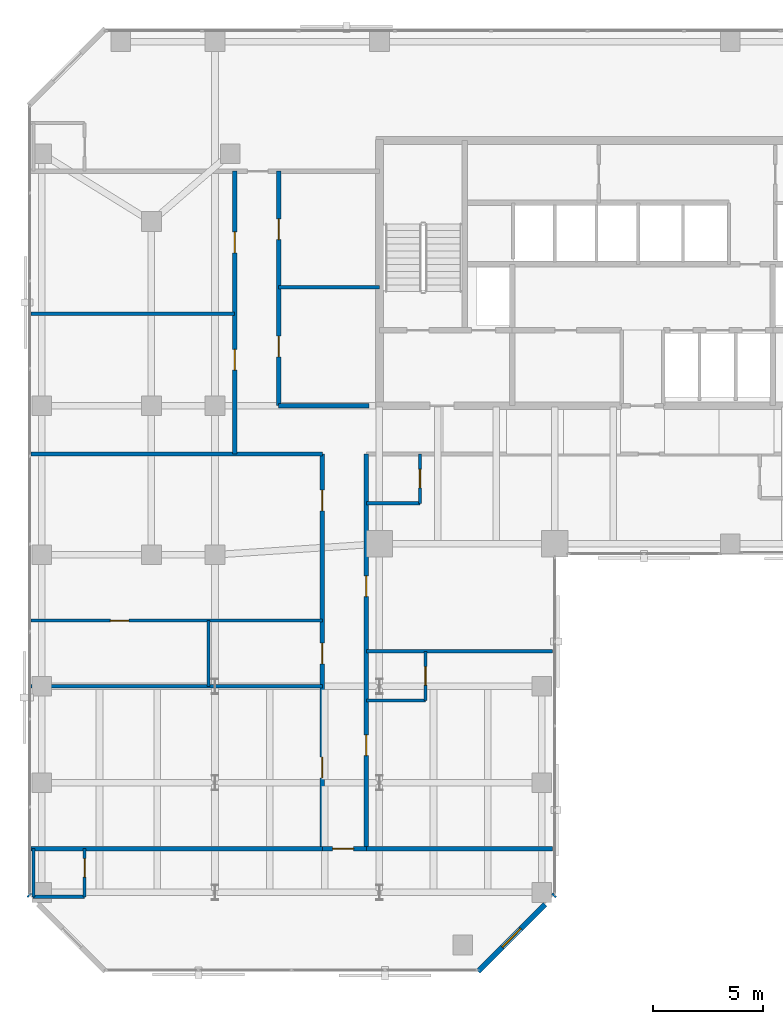
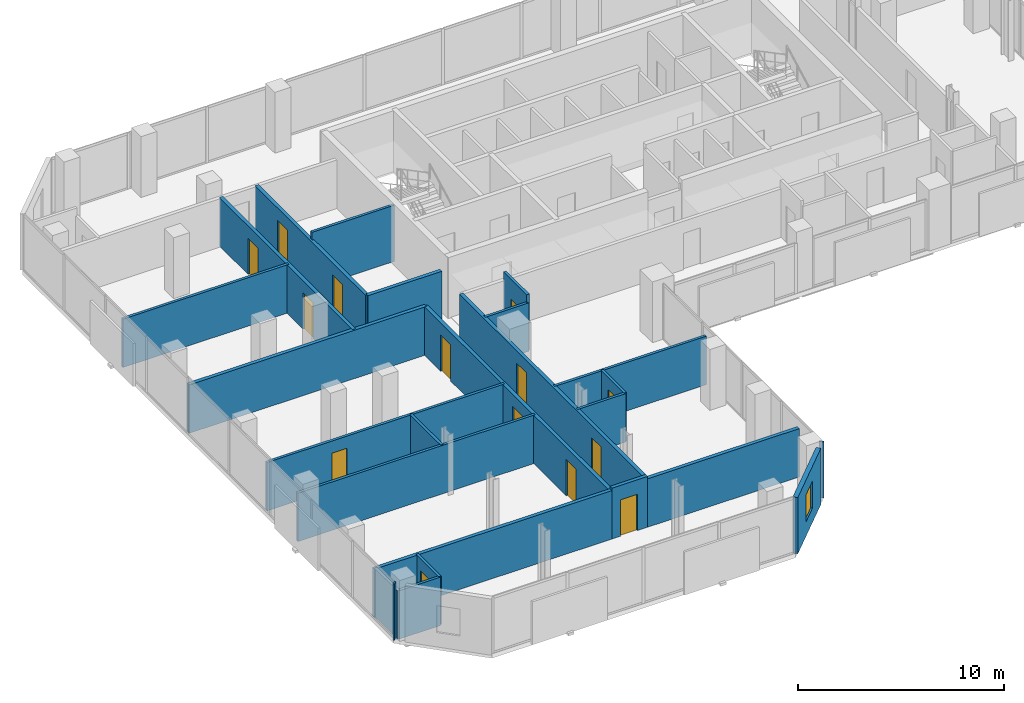
# One storey, part 28 of 33: 25 walls, 14 doors, 1 window, 15 openings.
"""IFC4 building model written with IfcOpenShell, lengths in metres."""

from ifc_helpers import new_model, si_unit, direction, frame, frame_2d, origin, place, context, subcontext, project, spatial, rectangle, extrude, material, layer, layer_set, type_object, element, fill, save


model = new_model("IFC4")

# Units and contexts
model_context = context("Model", 3, precision=1e-05, world=origin(), true_north=direction((0.0, 1.0)))
body_context = subcontext(model_context, "Body", "Model", "MODEL_VIEW")
ifc_project = project(units=[si_unit("LENGTHUNIT", "METRE"), si_unit("AREAUNIT", "SQUARE_METRE"), si_unit("VOLUMEUNIT", "CUBIC_METRE"), si_unit("PLANEANGLEUNIT", "RADIAN"), si_unit("MASSUNIT", "GRAM", prefix="KILO")], contexts=[model_context])

# Site, building, storey
site_placement = place(None, origin())
site = spatial("IfcSite", under=ifc_project, at=site_placement, CompositionType="ELEMENT")
building_placement = place(site_placement, origin())
building = spatial("IfcBuilding", under=site, at=building_placement, Name="Catumbela Crestline Tower", CompositionType="ELEMENT")
storey_placement = place(building_placement, frame((0.0, 0.0, 104.4)))
storey = spatial("IfcBuildingStorey", under=building, at=storey_placement, Name="L26", CompositionType="ELEMENT", Elevation=104.4)

# Walls
ifc_material_1 = material(Name="Acoustic gypsum and mineral-wool partition")
ifc_layer_1 = layer(ifc_material_1, 0.2, Name="Acoustic gypsum and mineral-wool partition")
ifc_layer_set_1 = layer_set([ifc_layer_1], Name="Acoustic gypsum and mineral-wool partition")
wall_type_1 = type_object("IfcWallType", Name="WC-200", PredefinedType="PARTITIONING", material=ifc_layer_set_1)
wall_1_placement = place(storey_placement, frame((0.1, 28.6, 0.0), z_axis=(0.0, 0.0, 1.0), x_axis=(1.0, 0.0, 0.0)))
element("IfcWall", 1, at=wall_1_placement, inside=storey, type_object=wall_type_1, Name="L26 Interior Partition PW-L26-Z2CW-N1", PredefinedType="PARTITIONING", context=body_context, shape_type="SweptSolid", body=[
    extrude(rectangle(XDim=13.3, YDim=0.2, at=frame_2d((6.65, 0.0))), origin(), (0.0, 0.0, 1.0), 2.87),
])
wall_2_placement = place(storey_placement, frame((11.4, 30.8, 0.0), z_axis=(0.0, 0.0, 1.0), x_axis=(1.0, 0.0, 0.0)))
element("IfcWall", 2, at=wall_2_placement, inside=storey, type_object=wall_type_1, Name="L26 Interior Partition PW-L26-Z2CW-N3", PredefinedType="PARTITIONING", context=body_context, shape_type="SweptSolid", body=[
    extrude(rectangle(XDim=4.13, YDim=0.2, at=frame_2d((2.065, 0.0))), origin(), (0.0, 0.0, 1.0), 2.87),
])

# Wall, openings, doors
wall_3_placement = place(storey_placement, frame((13.4, 10.6, 0.0), z_axis=(0.0, 0.0, 1.0), x_axis=(0.0, 1.0, 0.0)))
wall_3 = element("IfcWall", 3, at=wall_3_placement, inside=storey, type_object=wall_type_1, Name="L26 Interior Partition PW-L26-STWC-ENT", PredefinedType="PARTITIONING", context=body_context, shape_type="SweptSolid", body=[
    extrude(rectangle(XDim=18.0, YDim=0.2, at=frame_2d((9.0, 0.0))), origin(), (0.0, 0.0, 1.0), 2.87),
])
opening_1_placement = place(wall_3_placement, frame((8.425, 0.0, 0.0)))
opening_1 = element("IfcOpeningElement", 4, at=opening_1_placement, cuts=wall_3, Name="Opening DF6-095", PredefinedType="OPENING", context=body_context, shape_type="SweptSolid", body=[
    extrude(rectangle(XDim=0.95, YDim=2.15, at=frame_2d((0.475, 1.075))), frame((0.0, 0.11, 0.0), z_axis=(0.0, -1.0, 0.0), x_axis=(1.0, 0.0, 0.0)), (0.0, 0.0, 1.0), 0.22),
])
opening_2_placement = place(wall_3_placement, frame((15.3987, 0.0, 0.0)))
opening_2 = element("IfcOpeningElement", 5, at=opening_2_placement, cuts=wall_3, Name="Opening DF6-095", PredefinedType="OPENING", context=body_context, shape_type="SweptSolid", body=[
    extrude(rectangle(XDim=0.95, YDim=2.15, at=frame_2d((0.475, 1.075))), frame((0.0, 0.11, 0.0), z_axis=(0.0, -1.0, 0.0), x_axis=(1.0, 0.0, 0.0)), (0.0, 0.0, 1.0), 0.22),
])
opening_3_placement = place(wall_3_placement, frame((3.225, 0.0, 0.0)))
opening_3 = element("IfcOpeningElement", 6, at=opening_3_placement, cuts=wall_3, Name="Opening DF6-095", PredefinedType="OPENING", context=body_context, shape_type="SweptSolid", body=[
    extrude(rectangle(XDim=0.95, YDim=2.15, at=frame_2d((0.475, 1.075))), frame((0.0, 0.11, 0.0), z_axis=(0.0, -1.0, 0.0), x_axis=(1.0, 0.0, 0.0)), (0.0, 0.0, 1.0), 0.22),
])
ifc_material_2 = material(Name="Aluminium alloy AW-6060-T66", Category="aluminium")
door_type_1 = type_object("IfcDoorType", Name="DF6-095", OperationType="NOTDEFINED", PredefinedType="DOOR", material=ifc_material_2)
door_1_placement = place(opening_1_placement, origin())
door_1 = element("IfcDoor", 7, at=door_1_placement, inside=storey, type_object=door_type_1, Name="L26 Interior Door DR-L26-STWC-ENT", OperationType="SINGLE_SWING_RIGHT", OverallHeight=2.15, OverallWidth=0.95, PredefinedType="DOOR", context=body_context, shape_type="SweptSolid", body=[
    extrude(rectangle(XDim=0.95, YDim=2.15, at=frame_2d((0.475, 1.075))), frame((0.0, 0.025, 0.0), z_axis=(0.0, -1.0, 0.0), x_axis=(1.0, 0.0, 0.0)), (0.0, 0.0, 1.0), 0.05),
])
fill(opening_1, door_1)
door_2_placement = place(opening_2_placement, origin())
door_2 = element("IfcDoor", 8, at=door_2_placement, inside=storey, type_object=door_type_1, Name="L26 Interior Door DR-L26-HKP-ENT", OperationType="SINGLE_SWING_RIGHT", OverallHeight=2.15, OverallWidth=0.95, PredefinedType="DOOR", context=body_context, shape_type="SweptSolid", body=[
    extrude(rectangle(XDim=0.95, YDim=2.15, at=frame_2d((0.475, 1.075))), frame((0.0, 0.025, 0.0), z_axis=(0.0, -1.0, 0.0), x_axis=(1.0, 0.0, 0.0)), (0.0, 0.0, 1.0), 0.05),
])
fill(opening_2, door_2)
door_3_placement = place(opening_3_placement, origin())
door_3 = element("IfcDoor", 9, at=door_3_placement, inside=storey, type_object=door_type_1, Name="L26 Interior Door DR-L26-WEXT-ENT", OperationType="SINGLE_SWING_LEFT", OverallHeight=2.15, OverallWidth=0.95, PredefinedType="DOOR", context=body_context, shape_type="SweptSolid", body=[
    extrude(rectangle(XDim=0.95, YDim=2.15, at=frame_2d((0.475, 1.075))), frame((0.0, 0.025, 0.0), z_axis=(0.0, -1.0, 0.0), x_axis=(1.0, 0.0, 0.0)), (0.0, 0.0, 1.0), 0.05),
])
fill(opening_3, door_3)

wall_4_placement = place(storey_placement, frame((9.4, 28.6, 0.0), z_axis=(0.0, 0.0, 1.0), x_axis=(0.0, 1.0, 0.0)))
wall_4 = element("IfcWall", 10, at=wall_4_placement, inside=storey, type_object=wall_type_1, Name="L26 Interior Partition PW-L26-Z2OF1-ENT", PredefinedType="PARTITIONING", context=body_context, shape_type="SweptSolid", body=[
    extrude(rectangle(XDim=12.9, YDim=0.2, at=frame_2d((6.45, 0.0))), origin(), (0.0, 0.0, 1.0), 2.87),
])
opening_4_placement = place(wall_4_placement, frame((3.825, 0.0, 0.0)))
opening_4 = element("IfcOpeningElement", 11, at=opening_4_placement, cuts=wall_4, Name="Opening DF6-095", PredefinedType="OPENING", context=body_context, shape_type="SweptSolid", body=[
    extrude(rectangle(XDim=0.95, YDim=2.15, at=frame_2d((0.475, 1.075))), frame((0.0, 0.11, 0.0), z_axis=(0.0, -1.0, 0.0), x_axis=(1.0, 0.0, 0.0)), (0.0, 0.0, 1.0), 0.22),
])
opening_5_placement = place(wall_4_placement, frame((9.175, 0.0, 0.0)))
opening_5 = element("IfcOpeningElement", 12, at=opening_5_placement, cuts=wall_4, Name="Opening DF6-095", PredefinedType="OPENING", context=body_context, shape_type="SweptSolid", body=[
    extrude(rectangle(XDim=0.95, YDim=2.15, at=frame_2d((0.475, 1.075))), frame((0.0, 0.11, 0.0), z_axis=(0.0, -1.0, 0.0), x_axis=(1.0, 0.0, 0.0)), (0.0, 0.0, 1.0), 0.22),
])
door_4_placement = place(opening_4_placement, origin())
door_4 = element("IfcDoor", 13, at=door_4_placement, inside=storey, type_object=door_type_1, Name="L26 Interior Door DR-L26-Z2OF1-ENT", OperationType="SINGLE_SWING_LEFT", OverallHeight=2.15, OverallWidth=0.95, PredefinedType="DOOR", context=body_context, shape_type="SweptSolid", body=[
    extrude(rectangle(XDim=0.95, YDim=2.15, at=frame_2d((0.475, 1.075))), frame((0.0, 0.025, 0.0), z_axis=(0.0, -1.0, 0.0), x_axis=(1.0, 0.0, 0.0)), (0.0, 0.0, 1.0), 0.05),
])
fill(opening_4, door_4)
door_5_placement = place(opening_5_placement, origin())
door_5 = element("IfcDoor", 14, at=door_5_placement, inside=storey, type_object=door_type_1, Name="L26 Interior Door DR-L26-Z2OF2-ENT", OperationType="SINGLE_SWING_RIGHT", OverallHeight=2.15, OverallWidth=0.95, PredefinedType="DOOR", context=body_context, shape_type="SweptSolid", body=[
    extrude(rectangle(XDim=0.95, YDim=2.15, at=frame_2d((0.475, 1.075))), frame((0.0, 0.025, 0.0), z_axis=(0.0, -1.0, 0.0), x_axis=(1.0, 0.0, 0.0)), (0.0, 0.0, 1.0), 0.05),
])
fill(opening_5, door_5)

wall_5_placement = place(storey_placement, frame((11.4, 30.8, 0.0), z_axis=(0.0, 0.0, 1.0), x_axis=(0.0, 1.0, 0.0)))
wall_5 = element("IfcWall", 15, at=wall_5_placement, inside=storey, type_object=wall_type_1, Name="L26 Interior Partition PW-L26-Z2MT1-ENT", PredefinedType="PARTITIONING", context=body_context, shape_type="SweptSolid", body=[
    extrude(rectangle(XDim=10.7, YDim=0.2, at=frame_2d((5.35, 0.0))), origin(), (0.0, 0.0, 1.0), 2.87),
])
opening_6_placement = place(wall_5_placement, frame((2.225, 0.0, 0.0)))
opening_6 = element("IfcOpeningElement", 16, at=opening_6_placement, cuts=wall_5, Name="Opening DF6-095", PredefinedType="OPENING", context=body_context, shape_type="SweptSolid", body=[
    extrude(rectangle(XDim=0.95, YDim=2.15, at=frame_2d((0.475, 1.075))), frame((0.0, 0.11, 0.0), z_axis=(0.0, -1.0, 0.0), x_axis=(1.0, 0.0, 0.0)), (0.0, 0.0, 1.0), 0.22),
])
opening_7_placement = place(wall_5_placement, frame((7.575, 0.0, 0.0)))
opening_7 = element("IfcOpeningElement", 17, at=opening_7_placement, cuts=wall_5, Name="Opening DF6-095", PredefinedType="OPENING", context=body_context, shape_type="SweptSolid", body=[
    extrude(rectangle(XDim=0.95, YDim=2.15, at=frame_2d((0.475, 1.075))), frame((0.0, 0.11, 0.0), z_axis=(0.0, -1.0, 0.0), x_axis=(1.0, 0.0, 0.0)), (0.0, 0.0, 1.0), 0.22),
])
door_6_placement = place(opening_6_placement, origin())
door_6 = element("IfcDoor", 18, at=door_6_placement, inside=storey, type_object=door_type_1, Name="L26 Interior Door DR-L26-Z2MT1-ENT", OperationType="SINGLE_SWING_LEFT", OverallHeight=2.15, OverallWidth=0.95, PredefinedType="DOOR", context=body_context, shape_type="SweptSolid", body=[
    extrude(rectangle(XDim=0.95, YDim=2.15, at=frame_2d((0.475, 1.075))), frame((0.0, 0.025, 0.0), z_axis=(0.0, -1.0, 0.0), x_axis=(1.0, 0.0, 0.0)), (0.0, 0.0, 1.0), 0.05),
])
fill(opening_6, door_6)
door_7_placement = place(opening_7_placement, origin())
door_7 = element("IfcDoor", 19, at=door_7_placement, inside=storey, type_object=door_type_1, Name="L26 Interior Door DR-L26-Z2MT2-ENT", OperationType="SINGLE_SWING_RIGHT", OverallHeight=2.15, OverallWidth=0.95, PredefinedType="DOOR", context=body_context, shape_type="SweptSolid", body=[
    extrude(rectangle(XDim=0.95, YDim=2.15, at=frame_2d((0.475, 1.075))), frame((0.0, 0.025, 0.0), z_axis=(0.0, -1.0, 0.0), x_axis=(1.0, 0.0, 0.0)), (0.0, 0.0, 1.0), 0.05),
])
fill(opening_7, door_7)

# Wall, opening, door
wall_6_placement = place(storey_placement, frame((13.4, 10.6, 0.0), z_axis=(0.0, 0.0, 1.0), x_axis=(1.0, 0.0, 0.0)))
wall_6 = element("IfcWall", 20, at=wall_6_placement, inside=storey, type_object=wall_type_1, Name="L26 Interior Partition PW-L26-STIP-ENT", PredefinedType="PARTITIONING", context=body_context, shape_type="SweptSolid", body=[
    extrude(rectangle(XDim=2.0, YDim=0.2, at=frame_2d((1.0, 0.0))), origin(), (0.0, 0.0, 1.0), 3.01),
])
opening_8_placement = place(wall_6_placement, frame((0.468, 0.0, 0.0)))
opening_8 = element("IfcOpeningElement", 21, at=opening_8_placement, cuts=wall_6, Name="Opening DF6-095", PredefinedType="OPENING", context=body_context, shape_type="SweptSolid", body=[
    extrude(rectangle(XDim=0.95, YDim=2.15, at=frame_2d((0.475, 1.075))), frame((0.0, 0.11, 0.0), z_axis=(0.0, -1.0, 0.0), x_axis=(1.0, 0.0, 0.0)), (0.0, 0.0, 1.0), 0.22),
])
door_8_placement = place(opening_8_placement, origin())
door_8 = element("IfcDoor", 22, at=door_8_placement, inside=storey, type_object=door_type_1, Name="L26 Interior Door DR-L26-STIP-ENT", OperationType="SINGLE_SWING_LEFT", OverallHeight=2.15, OverallWidth=0.95, PredefinedType="DOOR", context=body_context, shape_type="SweptSolid", body=[
    extrude(rectangle(XDim=0.95, YDim=2.15, at=frame_2d((0.475, 1.075))), frame((0.0, 0.025, 0.0), z_axis=(0.0, -1.0, 0.0), x_axis=(1.0, 0.0, 0.0)), (0.0, 0.0, 1.0), 0.05),
])
fill(opening_8, door_8)

# Wall, openings, doors
wall_7_placement = place(storey_placement, frame((15.4, 10.6, 0.0), z_axis=(0.0, 0.0, 1.0), x_axis=(0.0, 1.0, 0.0)))
wall_7 = element("IfcWall", 23, at=wall_7_placement, inside=storey, type_object=wall_type_1, Name="L26 Interior Partition PW-L26-SW1-ENT", PredefinedType="PARTITIONING", context=body_context, shape_type="SweptSolid", body=[
    extrude(rectangle(XDim=18.0, YDim=0.2, at=frame_2d((9.0, 0.0))), origin(), (0.0, 0.0, 1.0), 2.87),
])
opening_9_placement = place(wall_7_placement, frame((4.24, 0.0, 0.0)))
opening_9 = element("IfcOpeningElement", 24, at=opening_9_placement, cuts=wall_7, Name="Opening DF6-095", PredefinedType="OPENING", context=body_context, shape_type="SweptSolid", body=[
    extrude(rectangle(XDim=0.95, YDim=2.15, at=frame_2d((0.475, 1.075))), frame((0.0, 0.11, 0.0), z_axis=(0.0, -1.0, 0.0), x_axis=(1.0, 0.0, 0.0)), (0.0, 0.0, 1.0), 0.22),
])
opening_10_placement = place(wall_7_placement, frame((11.4941, 0.0, 0.0)))
opening_10 = element("IfcOpeningElement", 25, at=opening_10_placement, cuts=wall_7, Name="Opening DF6-095", PredefinedType="OPENING", context=body_context, shape_type="SweptSolid", body=[
    extrude(rectangle(XDim=0.95, YDim=2.15, at=frame_2d((0.475, 1.075))), frame((0.0, 0.11, 0.0), z_axis=(0.0, -1.0, 0.0), x_axis=(1.0, 0.0, 0.0)), (0.0, 0.0, 1.0), 0.22),
])
door_9_placement = place(opening_9_placement, origin())
door_9 = element("IfcDoor", 26, at=door_9_placement, inside=storey, type_object=door_type_1, Name="L26 Interior Door DR-L26-SW1-ENT", OperationType="SINGLE_SWING_RIGHT", OverallHeight=2.15, OverallWidth=0.95, PredefinedType="DOOR", context=body_context, shape_type="SweptSolid", body=[
    extrude(rectangle(XDim=0.95, YDim=2.15, at=frame_2d((0.475, 1.075))), frame((0.0, 0.025, 0.0), z_axis=(0.0, -1.0, 0.0), x_axis=(1.0, 0.0, 0.0)), (0.0, 0.0, 1.0), 0.05),
])
fill(opening_9, door_9)
door_10_placement = place(opening_10_placement, origin())
door_10 = element("IfcDoor", 27, at=door_10_placement, inside=storey, type_object=door_type_1, Name="L26 Interior Door DR-L26-SW2-ENT", OperationType="SINGLE_SWING_LEFT", OverallHeight=2.15, OverallWidth=0.95, PredefinedType="DOOR", context=body_context, shape_type="SweptSolid", body=[
    extrude(rectangle(XDim=0.95, YDim=2.15, at=frame_2d((0.475, 1.075))), frame((0.0, 0.025, 0.0), z_axis=(0.0, -1.0, 0.0), x_axis=(1.0, 0.0, 0.0)), (0.0, 0.0, 1.0), 0.05),
])
fill(opening_10, door_10)

# Wall, opening, window
ifc_material_3 = material(Name="Angolan grey-ochre granite", Category="masonry")
ifc_layer_2 = layer(ifc_material_3, 0.25, Name="Angolan grey-ochre granite")
ifc_layer_set_2 = layer_set([ifc_layer_2], Name="Angolan grey-ochre granite")
wall_type_2 = type_object("IfcWallType", Name="WE-250", PredefinedType="STANDARD", material=ifc_layer_set_2)
wall_8_placement = place(storey_placement, frame((20.5, 5.0, 0.0), z_axis=(0.0, 0.0, 1.0), x_axis=(0.707106781187, 0.707106781187, 0.0)))
wall_8 = element("IfcWall", 28, at=wall_8_placement, inside=storey, type_object=wall_type_2, Name="L26 Granite Punched Window Wall 1-1", PredefinedType="STANDARD", context=body_context, shape_type="SweptSolid", body=[
    extrude(rectangle(XDim=4.3298, YDim=0.25, at=frame_2d((2.1649, 0.0))), origin(), (0.0, 0.0, 1.0), 3.33),
])
opening_11_placement = place(wall_8_placement, frame((1.5649, 0.0, 0.85)))
opening_11 = element("IfcOpeningElement", 29, at=opening_11_placement, cuts=wall_8, Name="Opening WN-02", PredefinedType="OPENING", context=body_context, shape_type="SweptSolid", body=[
    extrude(rectangle(XDim=1.2, YDim=1.6, at=frame_2d((0.6, 0.8))), frame((0.0, 0.135, 0.0), z_axis=(0.0, -1.0, 0.0), x_axis=(1.0, 0.0, 0.0)), (0.0, 0.0, 1.0), 0.27),
])
ifc_material_4 = material(Name="Low-E laminated solar-control double glazing", Category="glass")
window_type = type_object("IfcWindowType", Name="WO-1200", PartitioningType="SINGLE_PANEL", PredefinedType="WINDOW", material=ifc_material_4)
window_placement = place(opening_11_placement, origin())
window = element("IfcWindow", 30, at=window_placement, inside=storey, type_object=window_type, Name="L26 Facade Vision Window 150", OverallHeight=1.6, OverallWidth=1.2, PartitioningType="SINGLE_PANEL", PredefinedType="WINDOW", context=body_context, shape_type="SweptSolid", body=[
    extrude(rectangle(XDim=1.2, YDim=1.6, at=frame_2d((0.6, 0.8))), frame((0.0, 0.03, 0.0), z_axis=(0.0, -1.0, 0.0), x_axis=(1.0, 0.0, 0.0)), (0.0, 0.0, 1.0), 0.06),
])
fill(opening_11, window)

# Walls
for number, where, z_axis, x_axis, name in (
    (31, (23.9384, 8.4384, 0.0), (0.0, 0.0, 1.0), (0.707106781187, 0.707106781187, 0.0), "L26 Granite Punched Window Wall 1-2"),
    (32, (0.0, 8.5, 0.0), (0.0, 0.0, 1.0), (0.707106781187, -0.707106781187, 0.0), "L26 Granite Punched Window Wall 10-1"),
):
    element("IfcWall", number, at=place(storey_placement, frame(where, z_axis=z_axis, x_axis=x_axis)), inside=storey, type_object=wall_type_2, Name=name, PredefinedType="STANDARD", context=body_context, shape_type="SweptSolid", body=[
        extrude(rectangle(XDim=0.0871, YDim=0.25, at=frame_2d((0.0436, 0.0))), origin(), (0.0, 0.0, 1.0), 3.33),
    ])
ifc_layer_3 = layer(ifc_material_1, 0.15, Name="Acoustic gypsum and mineral-wool partition")
ifc_layer_set_3 = layer_set([ifc_layer_3], Name="Acoustic gypsum and mineral-wool partition")
wall_type_3 = type_object("IfcWallType", Name="WP-150", PredefinedType="PARTITIONING", material=ifc_layer_set_3)
wall_9_placement = place(storey_placement, frame((0.1, 18.0, 0.0), z_axis=(0.0, 0.0, 1.0), x_axis=(1.0, 0.0, 0.0)))
element("IfcWall", 33, at=wall_9_placement, inside=storey, type_object=wall_type_3, Name="L26 Interior Partition PW-L26-Z2W-1", PredefinedType="PARTITIONING", context=body_context, shape_type="SweptSolid", body=[
    extrude(rectangle(XDim=13.3, YDim=0.15, at=frame_2d((6.65, 0.0))), origin(), (0.0, 0.0, 1.0), 2.87),
])

# Wall, opening, door
wall_10_placement = place(storey_placement, frame((0.1, 21.0, 0.0), z_axis=(0.0, 0.0, 1.0), x_axis=(1.0, 0.0, 0.0)))
wall_10 = element("IfcWall", 34, at=wall_10_placement, inside=storey, type_object=wall_type_3, Name="L26 Interior Partition PW-L26-Z2W-2", PredefinedType="PARTITIONING", context=body_context, shape_type="SweptSolid", body=[
    extrude(rectangle(XDim=13.3, YDim=0.15, at=frame_2d((6.65, 0.0))), origin(), (0.0, 0.0, 1.0), 2.87),
])
opening_12_placement = place(wall_10_placement, frame((3.625, 0.0, 0.0)))
opening_12 = element("IfcOpeningElement", 35, at=opening_12_placement, cuts=wall_10, Name="Opening DI-085", PredefinedType="OPENING", context=body_context, shape_type="SweptSolid", body=[
    extrude(rectangle(XDim=0.85, YDim=2.15, at=frame_2d((0.425, 1.075))), frame((0.0, 0.085, 0.0), z_axis=(0.0, -1.0, 0.0), x_axis=(1.0, 0.0, 0.0)), (0.0, 0.0, 1.0), 0.17),
])
door_type_2 = type_object("IfcDoorType", Name="DI-085", OperationType="NOTDEFINED", PredefinedType="DOOR", material=ifc_material_2)
door_11_placement = place(opening_12_placement, origin())
door_11 = element("IfcDoor", 36, at=door_11_placement, inside=storey, type_object=door_type_2, Name="L26 Interior Door DR-L26-STSTO", OperationType="SINGLE_SWING_LEFT", OverallHeight=2.15, OverallWidth=0.85, PredefinedType="DOOR", context=body_context, shape_type="SweptSolid", body=[
    extrude(rectangle(XDim=0.85, YDim=2.15, at=frame_2d((0.425, 1.075))), frame((0.0, 0.025, 0.0), z_axis=(0.0, -1.0, 0.0), x_axis=(1.0, 0.0, 0.0)), (0.0, 0.0, 1.0), 0.05),
])
fill(opening_12, door_11)

# Walls
wall_11_placement = place(storey_placement, frame((8.2, 18.0, 0.0), z_axis=(0.0, 0.0, 1.0), x_axis=(0.0, 1.0, 0.0)))
element("IfcWall", 37, at=wall_11_placement, inside=storey, type_object=wall_type_3, Name="L26 Interior Partition PW-L26-Z2W-WCX", PredefinedType="PARTITIONING", context=body_context, shape_type="SweptSolid", body=[
    extrude(rectangle(XDim=3.0, YDim=0.15, at=frame_2d((1.5, 0.0))), origin(), (0.0, 0.0, 1.0), 2.87),
])
wall_12_placement = place(storey_placement, frame((0.1, 35.0, 0.0), z_axis=(0.0, 0.0, 1.0), x_axis=(1.0, 0.0, 0.0)))
element("IfcWall", 38, at=wall_12_placement, inside=storey, type_object=wall_type_3, Name="L26 Interior Partition PW-L26-Z2G1-1", PredefinedType="PARTITIONING", context=body_context, shape_type="SweptSolid", body=[
    extrude(rectangle(XDim=9.3, YDim=0.15, at=frame_2d((4.65, 0.0))), origin(), (0.0, 0.0, 1.0), 2.87),
])
wall_13_placement = place(storey_placement, frame((11.4, 36.2, 0.0), z_axis=(0.0, 0.0, 1.0), x_axis=(1.0, 0.0, 0.0)))
element("IfcWall", 39, at=wall_13_placement, inside=storey, type_object=wall_type_3, Name="L26 Interior Partition PW-L26-Z2G1-2", PredefinedType="PARTITIONING", context=body_context, shape_type="SweptSolid", body=[
    extrude(rectangle(XDim=4.6, YDim=0.15, at=frame_2d((2.3, 0.0))), origin(), (0.0, 0.0, 1.0), 3.33),
])
wall_14_placement = place(storey_placement, frame((0.2, 8.4, 0.0), z_axis=(0.0, 0.0, 1.0), x_axis=(1.0, 0.0, 0.0)))
element("IfcWall", 40, at=wall_14_placement, inside=storey, type_object=wall_type_3, Name="L26 Interior Partition PW-L26-STIP-BHW", PredefinedType="PARTITIONING", context=body_context, shape_type="SweptSolid", body=[
    extrude(rectangle(XDim=2.35, YDim=0.15, at=frame_2d((1.175, 0.0))), origin(), (0.0, 0.0, 1.0), 2.87),
])

# Wall, opening, door
wall_15_placement = place(storey_placement, frame((2.55, 8.4, 0.0), z_axis=(0.0, 0.0, 1.0), x_axis=(0.0, 1.0, 0.0)))
wall_15 = element("IfcWall", 41, at=wall_15_placement, inside=storey, type_object=wall_type_3, Name="L26 Interior Partition PW-L26-STIP-BEW", PredefinedType="PARTITIONING", context=body_context, shape_type="SweptSolid", body=[
    extrude(rectangle(XDim=2.2, YDim=0.15, at=frame_2d((1.1, 0.0))), origin(), (0.0, 0.0, 1.0), 2.87),
])
opening_13_placement = place(wall_15_placement, frame((0.8925, 0.0, 0.0)))
opening_13 = element("IfcOpeningElement", 42, at=opening_13_placement, cuts=wall_15, Name="Opening DI-085", PredefinedType="OPENING", context=body_context, shape_type="SweptSolid", body=[
    extrude(rectangle(XDim=0.85, YDim=2.15, at=frame_2d((0.425, 1.075))), frame((0.0, 0.085, 0.0), z_axis=(0.0, -1.0, 0.0), x_axis=(1.0, 0.0, 0.0)), (0.0, 0.0, 1.0), 0.17),
])
door_12_placement = place(opening_13_placement, origin())
door_12 = element("IfcDoor", 43, at=door_12_placement, inside=storey, type_object=door_type_2, Name="L26 Interior Door DR-L26-STIP-BTH", OperationType="SINGLE_SWING_LEFT", OverallHeight=2.15, OverallWidth=0.85, PredefinedType="DOOR", context=body_context, shape_type="SweptSolid", body=[
    extrude(rectangle(XDim=0.85, YDim=2.15, at=frame_2d((0.425, 1.075))), frame((0.0, 0.025, 0.0), z_axis=(0.0, -1.0, 0.0), x_axis=(1.0, 0.0, 0.0)), (0.0, 0.0, 1.0), 0.05),
])
fill(opening_13, door_12)

# Walls
wall_16_placement = place(storey_placement, frame((0.22, 8.38, 0.0), z_axis=(0.0, 0.0, 1.0), x_axis=(0.0, 1.0, 0.0)))
element("IfcWall", 44, at=wall_16_placement, inside=storey, type_object=wall_type_3, Name="L26 Interior Partition PW-L26-STIP-BCL-3", PredefinedType="PARTITIONING", context=body_context, shape_type="SweptSolid", body=[
    extrude(rectangle(XDim=2.22, YDim=0.15, at=frame_2d((1.11, 0.0))), origin(), (0.0, 0.0, 1.0), 2.87),
])
wall_17_placement = place(storey_placement, frame((15.4, 17.35, 0.0), z_axis=(0.0, 0.0, 1.0), x_axis=(1.0, 0.0, 0.0)))
element("IfcWall", 45, at=wall_17_placement, inside=storey, type_object=wall_type_3, Name="L26 Interior Partition PW-L26-SW1-BSW", PredefinedType="PARTITIONING", context=body_context, shape_type="SweptSolid", body=[
    extrude(rectangle(XDim=2.7, YDim=0.15, at=frame_2d((1.35, 0.0))), origin(), (0.0, 0.0, 1.0), 2.87),
])

# Wall, opening, door
wall_18_placement = place(storey_placement, frame((18.1, 17.35, 0.0), z_axis=(0.0, 0.0, 1.0), x_axis=(0.0, 1.0, 0.0)))
wall_18 = element("IfcWall", 46, at=wall_18_placement, inside=storey, type_object=wall_type_3, Name="L26 Interior Partition PW-L26-SW1-BEW", PredefinedType="PARTITIONING", context=body_context, shape_type="SweptSolid", body=[
    extrude(rectangle(XDim=2.25, YDim=0.15, at=frame_2d((1.125, 0.0))), origin(), (0.0, 0.0, 1.0), 2.87),
])
opening_14_placement = place(wall_18_placement, frame((0.7, 0.0, 0.0)))
opening_14 = element("IfcOpeningElement", 47, at=opening_14_placement, cuts=wall_18, Name="Opening DI-085", PredefinedType="OPENING", context=body_context, shape_type="SweptSolid", body=[
    extrude(rectangle(XDim=0.85, YDim=2.15, at=frame_2d((0.425, 1.075))), frame((0.0, 0.085, 0.0), z_axis=(0.0, -1.0, 0.0), x_axis=(1.0, 0.0, 0.0)), (0.0, 0.0, 1.0), 0.17),
])
door_13_placement = place(opening_14_placement, origin())
door_13 = element("IfcDoor", 48, at=door_13_placement, inside=storey, type_object=door_type_2, Name="L26 Interior Door DR-L26-SW1-BTH", OperationType="SINGLE_SWING_LEFT", OverallHeight=2.15, OverallWidth=0.85, PredefinedType="DOOR", context=body_context, shape_type="SweptSolid", body=[
    extrude(rectangle(XDim=0.85, YDim=2.15, at=frame_2d((0.425, 1.075))), frame((0.0, 0.025, 0.0), z_axis=(0.0, -1.0, 0.0), x_axis=(1.0, 0.0, 0.0)), (0.0, 0.0, 1.0), 0.05),
])
fill(opening_14, door_13)

# Walls
wall_19_placement = place(storey_placement, frame((15.4, 19.6, 0.0), z_axis=(0.0, 0.0, 1.0), x_axis=(1.0, 0.0, 0.0)))
element("IfcWall", 49, at=wall_19_placement, inside=storey, type_object=wall_type_3, Name="L26 Interior Partition PW-L26-SW1-BCL-1", PredefinedType="PARTITIONING", context=body_context, shape_type="SweptSolid", body=[
    extrude(rectangle(XDim=8.5, YDim=0.15, at=frame_2d((4.25, 0.0))), origin(), (0.0, 0.0, 1.0), 2.87),
])
wall_20_placement = place(storey_placement, frame((15.4, 26.35, 0.0), z_axis=(0.0, 0.0, 1.0), x_axis=(1.0, 0.0, 0.0)))
element("IfcWall", 50, at=wall_20_placement, inside=storey, type_object=wall_type_3, Name="L26 Interior Partition PW-L26-SW2-BSW", PredefinedType="PARTITIONING", context=body_context, shape_type="SweptSolid", body=[
    extrude(rectangle(XDim=2.45, YDim=0.15, at=frame_2d((1.225, 0.0))), origin(), (0.0, 0.0, 1.0), 2.87),
])

# Wall, opening, door
wall_21_placement = place(storey_placement, frame((17.85, 26.35, 0.0), z_axis=(0.0, 0.0, 1.0), x_axis=(0.0, 1.0, 0.0)))
wall_21 = element("IfcWall", 51, at=wall_21_placement, inside=storey, type_object=wall_type_3, Name="L26 Interior Partition PW-L26-SW2-BEW", PredefinedType="PARTITIONING", context=body_context, shape_type="SweptSolid", body=[
    extrude(rectangle(XDim=2.25, YDim=0.15, at=frame_2d((1.125, 0.0))), origin(), (0.0, 0.0, 1.0), 3.33),
])
opening_15_placement = place(wall_21_placement, frame((0.7, 0.0, 0.0)))
opening_15 = element("IfcOpeningElement", 52, at=opening_15_placement, cuts=wall_21, Name="Opening DI-085", PredefinedType="OPENING", context=body_context, shape_type="SweptSolid", body=[
    extrude(rectangle(XDim=0.85, YDim=2.15, at=frame_2d((0.425, 1.075))), frame((0.0, 0.085, 0.0), z_axis=(0.0, -1.0, 0.0), x_axis=(1.0, 0.0, 0.0)), (0.0, 0.0, 1.0), 0.17),
])
door_14_placement = place(opening_15_placement, origin())
door_14 = element("IfcDoor", 53, at=door_14_placement, inside=storey, type_object=door_type_2, Name="L26 Interior Door DR-L26-SW2-BTH", OperationType="SINGLE_SWING_LEFT", OverallHeight=2.15, OverallWidth=0.85, PredefinedType="DOOR", context=body_context, shape_type="SweptSolid", body=[
    extrude(rectangle(XDim=0.85, YDim=2.15, at=frame_2d((0.425, 1.075))), frame((0.0, 0.025, 0.0), z_axis=(0.0, -1.0, 0.0), x_axis=(1.0, 0.0, 0.0)), (0.0, 0.0, 1.0), 0.05),
])
fill(opening_15, door_14)

# Walls
ifc_layer_4 = layer(ifc_material_1, 0.2, Name="Acoustic gypsum and mineral-wool partition")
ifc_layer_set_4 = layer_set([ifc_layer_4], Name="Acoustic gypsum and mineral-wool partition")
wall_type_4 = type_object("IfcWallType", Name="WY-200", PredefinedType="PARTITIONING", material=ifc_layer_set_4)
wall_22_placement = place(storey_placement, frame((0.1, 10.6, 0.0), z_axis=(0.0, 0.0, 1.0), x_axis=(1.0, 0.0, 0.0)))
element("IfcWall", 54, at=wall_22_placement, inside=storey, type_object=wall_type_4, Name="L26 Interior Partition PW-L26-STIP-WL", PredefinedType="PARTITIONING", context=body_context, shape_type="SweptSolid", body=[
    extrude(rectangle(XDim=13.3, YDim=0.2, at=frame_2d((6.65, 0.0))), origin(), (0.0, 0.0, 1.0), 2.87),
])
wall_23_placement = place(storey_placement, frame((15.4, 10.6, 0.0), z_axis=(0.0, 0.0, 1.0), x_axis=(1.0, 0.0, 0.0)))
element("IfcWall", 55, at=wall_23_placement, inside=storey, type_object=wall_type_4, Name="L26 Interior Partition PW-L26-STIP-WR", PredefinedType="PARTITIONING", context=body_context, shape_type="SweptSolid", body=[
    extrude(rectangle(XDim=8.5, YDim=0.2, at=frame_2d((4.25, 0.0))), origin(), (0.0, 0.0, 1.0), 2.87),
])

save(model, "model.ifc")
